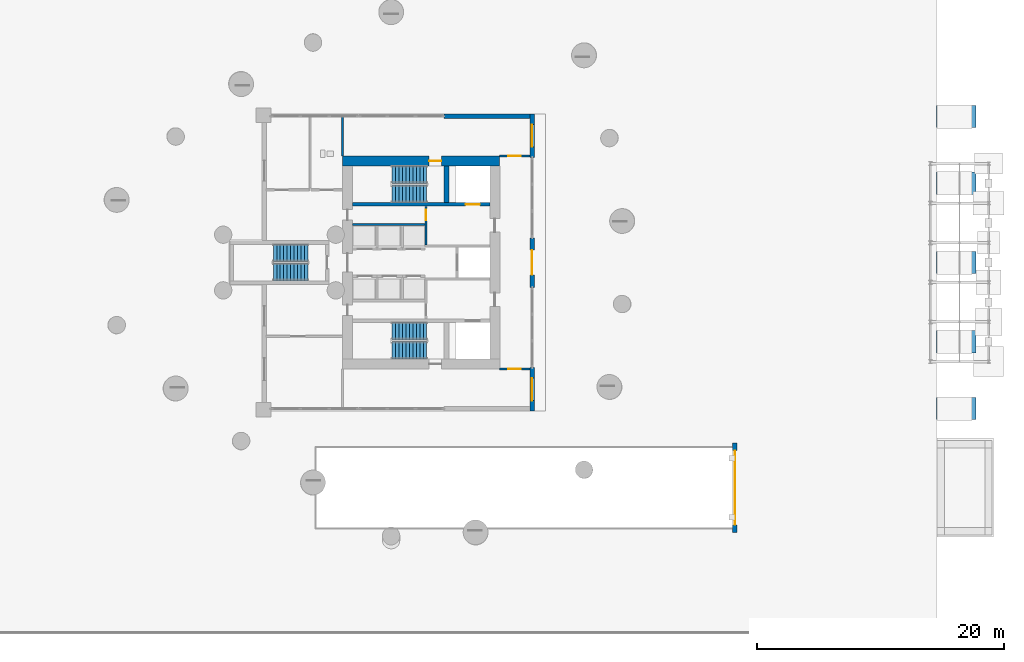
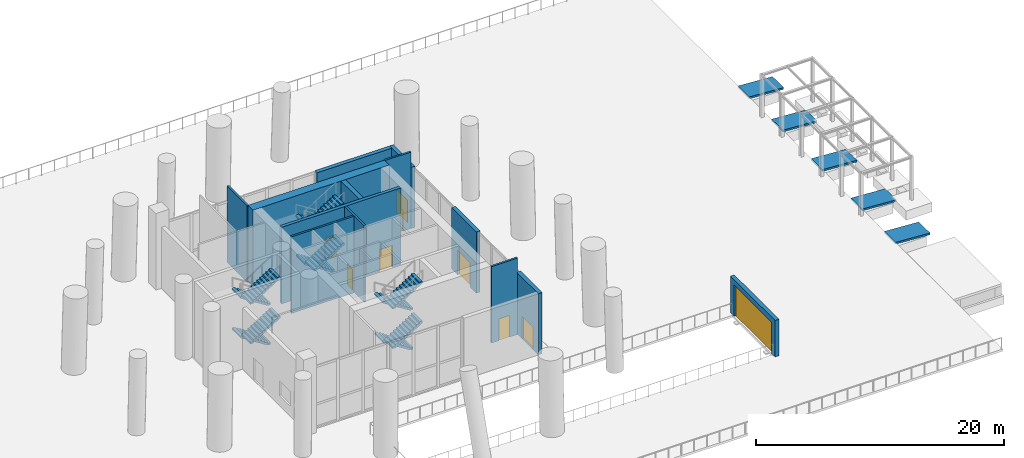
# One storey, part 9 of 16: 13 walls, 12 stair flights, 9 doors, 5 ramp flights, 9 openings, 8 elements without a shape of their own.
"""IFC4 building model written with IfcOpenShell, lengths in metres."""

from ifc_helpers import new_model, si_unit, direction, frame, frame_2d, origin, place, context, subcontext, project, spatial, polyline, rectangle, outline, extrude, source, transform, mapped, material, layer, layer_set, type_object, element, fill, aggregate, save


model = new_model("IFC4")

# Units and contexts
model_context = context("Model", 3, precision=1e-05, world=origin(), true_north=direction((0.0, 1.0)))
body_context = subcontext(model_context, "Body", "Model", "MODEL_VIEW")
ifc_project = project(units=[si_unit("LENGTHUNIT", "METRE"), si_unit("AREAUNIT", "SQUARE_METRE"), si_unit("VOLUMEUNIT", "CUBIC_METRE"), si_unit("PLANEANGLEUNIT", "RADIAN"), si_unit("MASSUNIT", "GRAM", prefix="KILO")], contexts=[model_context])

# Site, building, storey
site_placement = place(None, origin())
site = spatial("IfcSite", under=ifc_project, at=site_placement, CompositionType="ELEMENT")
building_placement = place(site_placement, origin())
building = spatial("IfcBuilding", under=site, at=building_placement, Name="Qafzar Sky-Pleat Residences", CompositionType="ELEMENT")
storey_placement = place(building_placement, origin())
storey = spatial("IfcBuildingStorey", under=building, at=storey_placement, Name="L00", CompositionType="ELEMENT", Elevation=0.0)

# Wall, opening, door
ifc_material_1 = material(Name="Concrete blockwork partition", Category="masonry")
ifc_layer_1 = layer(ifc_material_1, 0.179931640625)
ifc_layer_set_1 = layer_set([ifc_layer_1], Name="Concrete blockwork partition")
wall_type_1 = type_object("IfcWallType", Name="PART-SHAFT-180", PredefinedType="PARTITIONING", material=ifc_layer_set_1)
wall_1_placement = place(storey_placement, frame((30.75, 27.429931640625, 0.0), z_axis=(0.0, 0.0, 1.0), x_axis=(0.0, 1.0, 0.0)))
wall_1 = element("IfcWall", 1, at=wall_1_placement, inside=storey, type_object=wall_type_1, Name="L00 Partition Wall PART-L00-FFL2-W", PredefinedType="PARTITIONING", context=body_context, shape_type="SweptSolid", body=[
    extrude(rectangle(XDim=3.110107421875, YDim=0.179931640625, at=frame_2d((1.55517578125, 0.0))), origin(), (0.0, 0.0, 1.0), 7.5400390625),
])
opening_1_placement = place(wall_1_placement, frame((1.97998046875, 0.0, 0.0)))
opening_1 = element("IfcOpeningElement", 2, at=opening_1_placement, cuts=wall_1, Name="Opening ID-09", PredefinedType="OPENING", context=body_context, shape_type="SweptSolid", body=[
    extrude(rectangle(XDim=0.860107421875, YDim=2.050048828125, at=frame_2d((0.43017578125, 1.02490234375))), frame((0.0, 0.10009765625, 0.0), z_axis=(0.0, -1.0, 0.0), x_axis=(1.0, 0.0, 0.0)), (0.0, 0.0, 1.0), 0.199951171875),
])
ifc_material_2 = material(Name="Timber-faced fire door", Category="wood")
door_type_1 = type_object("IfcDoorType", Name="DR-SVC-860", OperationType="NOTDEFINED", PredefinedType="DOOR", material=ifc_material_2)
shared_shape_1 = source(origin(), body_context, "Body", "SweptSolid", [
    extrude(rectangle(XDim=0.860107421875, YDim=2.050048828125, at=frame_2d((0.43017578125, 1.02490234375))), frame((0.0, 0.02490234375, 0.0), z_axis=(0.0, -1.0, 0.0), x_axis=(1.0, 0.0, 0.0)), (0.0, 0.0, 1.0), 0.050048828125),
])
door_1_placement = place(opening_1_placement, origin())
door_1 = element("IfcDoor", 3, at=door_1_placement, inside=storey, type_object=door_type_1, Name="L00 North Core Cupboard Door", OperationType="SINGLE_SWING_RIGHT", OverallHeight=2.050048828125, OverallWidth=0.860107421875, PredefinedType="DOOR", context=body_context, shape_type="MappedRepresentation", body=[
    mapped(shared_shape_1, transform((0.0, 0.0, 0.0), x_axis=(1.0, 0.0, 0.0), y_axis=(0.0, 1.0, 0.0), z_axis=(0.0, 0.0, 1.0), scale=1.0)),
])
fill(opening_1, door_1)

# Walls
wall_2_placement = place(storey_placement, frame((24.81005859375, 29.080078125, 0.0), z_axis=(0.0, 0.0, 1.0), x_axis=(1.0, 0.0, 0.0)))
element("IfcWall", 4, at=wall_2_placement, inside=storey, type_object=wall_type_1, Name="L00 Partition Wall PART-L00-P46-N", PredefinedType="PARTITIONING", context=body_context, shape_type="SweptSolid", body=[
    extrude(rectangle(XDim=5.83984375, YDim=0.179931640625, at=frame_2d((2.919921875, 0.0))), origin(), (0.0, 0.0, 1.0), 7.5400390625),
])
wall_3_placement = place(storey_placement, frame((24.0, 34.60791015625, 0.0), z_axis=(0.0, 0.0, 1.0), x_axis=(0.0, 1.0, 0.0)))
element("IfcWall", 5, at=wall_3_placement, inside=storey, type_object=wall_type_1, Name="L00 Partition Wall PART-L00-PW-003", PredefinedType="PARTITIONING", context=body_context, shape_type="SweptSolid", body=[
    extrude(rectangle(XDim=3.18505859375, YDim=0.179931640625, at=frame_2d((1.592529296875, 0.0))), origin(), (0.0, 0.0, 1.0), 7.5400390625),
])

# Wall, opening, door
wall_4_placement = place(storey_placement, frame((36.699951171875, 17.39990234375, 0.0), z_axis=(0.0, 0.0, 1.0), x_axis=(1.0, 0.0, 0.0)))
wall_4 = element("IfcWall", 6, at=wall_4_placement, inside=storey, type_object=wall_type_1, Name="L00 Partition Wall PART-L00-PW-004", PredefinedType="PARTITIONING", context=body_context, shape_type="SweptSolid", body=[
    extrude(rectangle(XDim=2.43212890625, YDim=0.179931640625, at=frame_2d((1.216064453125, 0.0))), origin(), (0.0, 0.0, 1.0), 7.5400390625),
])
opening_2_placement = place(wall_4_placement, frame((0.699951171875, 0.0, 0.0)))
opening_2 = element("IfcOpeningElement", 7, at=opening_2_placement, cuts=wall_4, Name="Opening ID-01", PredefinedType="OPENING", context=body_context, shape_type="SweptSolid", body=[
    extrude(rectangle(XDim=0.97998046875, YDim=2.14990234375, at=frame_2d((0.489990234375, 1.074951171875))), frame((0.0, 0.10009765625, 0.0), z_axis=(0.0, -1.0, 0.0), x_axis=(1.0, 0.0, 0.0)), (0.0, 0.0, 1.0), 0.199951171875),
])
door_type_2 = type_object("IfcDoorType", Name="DR-STAIR-980", OperationType="NOTDEFINED", PredefinedType="DOOR", material=ifc_material_2)
shared_shape_2 = source(origin(), body_context, "Body", "SweptSolid", [
    extrude(rectangle(XDim=0.97998046875, YDim=2.14990234375, at=frame_2d((0.489990234375, 1.074951171875))), frame((0.0, 0.02490234375, 0.0), z_axis=(0.0, -1.0, 0.0), x_axis=(1.0, 0.0, 0.0)), (0.0, 0.0, 1.0), 0.050048828125),
])
door_2_placement = place(opening_2_placement, origin())
door_2 = element("IfcDoor", 8, at=door_2_placement, inside=storey, type_object=door_type_2, Name="L00 Lobby South Exit Passage Door", OperationType="SINGLE_SWING_RIGHT", OverallHeight=2.14990234375, OverallWidth=0.97998046875, PredefinedType="DOOR", context=body_context, shape_type="MappedRepresentation", body=[
    mapped(shared_shape_2, transform((0.0, 0.0, 0.0), x_axis=(1.0, 0.0, 0.0), y_axis=(0.0, 1.0, 0.0), z_axis=(0.0, 0.0, 1.0), scale=1.0)),
])
fill(opening_2, door_2)

wall_5_placement = place(storey_placement, frame((36.699951171875, 34.60009765625, 0.0), z_axis=(0.0, 0.0, 1.0), x_axis=(1.0, 0.0, 0.0)))
wall_5 = element("IfcWall", 9, at=wall_5_placement, inside=storey, type_object=wall_type_1, Name="L00 Partition Wall PART-L00-PW-005", PredefinedType="PARTITIONING", context=body_context, shape_type="SweptSolid", body=[
    extrude(rectangle(XDim=2.43212890625, YDim=0.179931640625, at=frame_2d((1.216064453125, 0.0))), origin(), (0.0, 0.0, 1.0), 7.5400390625),
])
opening_3_placement = place(wall_5_placement, frame((0.699951171875, 0.0, 0.0)))
opening_3 = element("IfcOpeningElement", 10, at=opening_3_placement, cuts=wall_5, Name="Opening ID-01", PredefinedType="OPENING", context=body_context, shape_type="SweptSolid", body=[
    extrude(rectangle(XDim=0.97998046875, YDim=2.14990234375, at=frame_2d((0.489990234375, 1.074951171875))), frame((0.0, 0.10009765625, 0.0), z_axis=(0.0, -1.0, 0.0), x_axis=(1.0, 0.0, 0.0)), (0.0, 0.0, 1.0), 0.199951171875),
])
door_3_placement = place(opening_3_placement, origin())
door_3 = element("IfcDoor", 11, at=door_3_placement, inside=storey, type_object=door_type_2, Name="L00 Lobby North Exit Passage Door", OperationType="SINGLE_SWING_LEFT", OverallHeight=2.14990234375, OverallWidth=0.97998046875, PredefinedType="DOOR", context=body_context, shape_type="MappedRepresentation", body=[
    mapped(shared_shape_2, transform((0.0, 0.0, 0.0), x_axis=(1.0, 0.0, 0.0), y_axis=(0.0, 1.0, 0.0), z_axis=(0.0, 0.0, 1.0), scale=1.0)),
])
fill(opening_3, door_3)

ifc_material_3 = material(Name="Precast concrete C40/50 with honed Riyadh limestone", Category="concrete")
ifc_layer_2 = layer(ifc_material_3, 0.35009765625)
ifc_layer_set_2 = layer_set([ifc_layer_2], Name="Precast concrete C40/50 with honed Riyadh limestone")
wall_type_2 = type_object("IfcWallType", Name="WALL-EXT-350", PredefinedType="SOLIDWALL", material=ifc_layer_set_2)
wall_6_placement = place(storey_placement, frame((39.320068359375, 38.0, 0.0), z_axis=(0.0, 0.0, 1.0), x_axis=(0.0, -1.0, 0.0)))
wall_6 = element("IfcWall", 12, at=wall_6_placement, inside=storey, type_object=wall_type_2, Name="L00 North-East Exit Passage Exterior Wall", PredefinedType="SOLIDWALL", context=body_context, shape_type="SweptSolid", body=[
    extrude(rectangle(XDim=3.5, YDim=0.360107421875, at=frame_2d((1.75, 0.0))), origin(), (0.0, 0.0, 1.0), 6.02001953125),
])
opening_4_placement = place(wall_6_placement, frame((0.85009765625, 0.0, 0.0)))
opening_4 = element("IfcOpeningElement", 13, at=opening_4_placement, cuts=wall_6, Name="Opening ED-01", PredefinedType="OPENING", context=body_context, shape_type="SweptSolid", body=[
    extrude(rectangle(XDim=1.800048828125, YDim=2.199951171875, at=frame_2d((0.89990234375, 1.10009765625))), frame((0.0, 0.18994140625, 0.0), z_axis=(0.0, -1.0, 0.0), x_axis=(1.0, 0.0, 0.0)), (0.0, 0.0, 1.0), 0.380126953125),
])
ifc_material_4 = material(Name="Powder-coated steel door", Category="steel")
door_type_3 = type_object("IfcDoorType", Name="DR-EXT-1800", OperationType="DOUBLE_DOOR_SINGLE_SWING", PredefinedType="DOOR", material=ifc_material_4)
shared_shape_3 = source(origin(), body_context, "Body", "SweptSolid", [
    extrude(rectangle(XDim=1.800048828125, YDim=2.199951171875, at=frame_2d((0.89990234375, 1.10009765625))), frame((0.0, 0.02490234375, 0.0), z_axis=(0.0, -1.0, 0.0), x_axis=(1.0, 0.0, 0.0)), (0.0, 0.0, 1.0), 0.050048828125),
])
door_4_placement = place(opening_4_placement, origin())
door_4 = element("IfcDoor", 14, at=door_4_placement, inside=storey, type_object=door_type_3, Name="L00 Final Exit Door ED-02 (Stair ST2)", OperationType="DOUBLE_DOOR_SINGLE_SWING", OverallHeight=2.199951171875, OverallWidth=1.800048828125, PredefinedType="DOOR", context=body_context, shape_type="MappedRepresentation", body=[
    mapped(shared_shape_3, transform((0.0, 0.0, 0.0), x_axis=(1.0, 0.0, 0.0), y_axis=(0.0, 1.0, 0.0), z_axis=(0.0, 0.0, 1.0), scale=1.0)),
])
fill(opening_4, door_4)

wall_7_placement = place(storey_placement, frame((39.320068359375, 17.5, 0.0), z_axis=(0.0, 0.0, 1.0), x_axis=(0.0, -1.0, 0.0)))
wall_7 = element("IfcWall", 15, at=wall_7_placement, inside=storey, type_object=wall_type_2, Name="L00 South-East Exit Passage Exterior Wall", PredefinedType="SOLIDWALL", context=body_context, shape_type="SweptSolid", body=[
    extrude(rectangle(XDim=3.5, YDim=0.360107421875, at=frame_2d((1.75, 0.0))), origin(), (0.0, 0.0, 1.0), 6.02001953125),
])
opening_5_placement = place(wall_7_placement, frame((0.85009765625, 0.0, 0.0)))
opening_5 = element("IfcOpeningElement", 16, at=opening_5_placement, cuts=wall_7, Name="Opening ED-01", PredefinedType="OPENING", context=body_context, shape_type="SweptSolid", body=[
    extrude(rectangle(XDim=1.800048828125, YDim=2.199951171875, at=frame_2d((0.89990234375, 1.10009765625))), frame((0.0, 0.18994140625, 0.0), z_axis=(0.0, -1.0, 0.0), x_axis=(1.0, 0.0, 0.0)), (0.0, 0.0, 1.0), 0.380126953125),
])
door_5_placement = place(opening_5_placement, origin())
door_5 = element("IfcDoor", 17, at=door_5_placement, inside=storey, type_object=door_type_3, Name="L00 Final Exit Door ED-01 (Stair ST1)", OperationType="DOUBLE_DOOR_SINGLE_SWING", OverallHeight=2.199951171875, OverallWidth=1.800048828125, PredefinedType="DOOR", context=body_context, shape_type="MappedRepresentation", body=[
    mapped(shared_shape_3, transform((0.0, 0.0, 0.0), x_axis=(1.0, 0.0, 0.0), y_axis=(0.0, 1.0, 0.0), z_axis=(0.0, 0.0, 1.0), scale=1.0)),
])
fill(opening_5, door_5)

wall_8_placement = place(storey_placement, frame((39.320068359375, 28.0, 0.0), z_axis=(0.0, 0.0, 1.0), x_axis=(0.0, -1.0, 0.0)))
wall_8 = element("IfcWall", 18, at=wall_8_placement, inside=storey, type_object=wall_type_2, Name="L00 Main Entrance Portal Wall", PredefinedType="SOLIDWALL", context=body_context, shape_type="SweptSolid", body=[
    extrude(rectangle(XDim=4.0, YDim=0.360107421875, at=frame_2d((2.0, 0.0))), origin(), (0.0, 0.0, 1.0), 6.02001953125),
])
opening_6_placement = place(wall_8_placement, frame((1.0, 0.0, 0.0)))
opening_6 = element("IfcOpeningElement", 19, at=opening_6_placement, cuts=wall_8, Name="Opening ED-04", PredefinedType="OPENING", context=body_context, shape_type="SweptSolid", body=[
    extrude(rectangle(XDim=2.0, YDim=2.39990234375, at=frame_2d((1.0, 1.199951171875))), frame((0.0, 0.18994140625, 0.0), z_axis=(0.0, -1.0, 0.0), x_axis=(1.0, 0.0, 0.0)), (0.0, 0.0, 1.0), 0.380126953125),
])
door_type_4 = type_object("IfcDoorType", Name="DR-EXT-LOB", OperationType="DOUBLE_DOOR_SINGLE_SWING", PredefinedType="DOOR", material=ifc_material_4)
shared_shape_4 = source(origin(), body_context, "Body", "SweptSolid", [
    extrude(rectangle(XDim=2.0, YDim=2.39990234375, at=frame_2d((1.0, 1.199951171875))), frame((0.0, 0.02490234375, 0.0), z_axis=(0.0, -1.0, 0.0), x_axis=(1.0, 0.0, 0.0)), (0.0, 0.0, 1.0), 0.050048828125),
])
door_6_placement = place(opening_6_placement, origin())
door_6 = element("IfcDoor", 20, at=door_6_placement, inside=storey, type_object=door_type_4, Name="L00 Main Entrance Door ED-04", OperationType="DOUBLE_DOOR_SINGLE_SWING", OverallHeight=2.39990234375, OverallWidth=2.0, PredefinedType="DOOR", context=body_context, shape_type="MappedRepresentation", body=[
    mapped(shared_shape_4, transform((0.0, 0.0, 0.0), x_axis=(1.0, 0.0, 0.0), y_axis=(0.0, 1.0, 0.0), z_axis=(0.0, 0.0, 1.0), scale=1.0)),
])
fill(opening_6, door_6)

# Wall
wall_9_placement = place(storey_placement, frame((32.199951171875, 37.820068359375, 0.0), z_axis=(0.0, 0.0, 1.0), x_axis=(1.0, 0.0, 0.0)))
element("IfcWall", 21, at=wall_9_placement, inside=storey, type_object=wall_type_2, Name="L00 North-East Exterior Wall", PredefinedType="SOLIDWALL", context=body_context, shape_type="SweptSolid", body=[
    extrude(rectangle(XDim=6.93994140625, YDim=0.360107421875, at=frame_2d((3.469970703125, 0.0))), origin(), (0.0, 0.0, 1.0), 6.02001953125),
])

# Wall, opening, door
wall_10_placement = place(storey_placement, frame((55.699951171875, 11.39990234375, 0.0), z_axis=(0.0, 0.0, 1.0), x_axis=(0.0, -1.0, 0.0)))
wall_10 = element("IfcWall", 22, at=wall_10_placement, inside=storey, type_object=wall_type_2, Name="L00 Vehicle Ramp Portal Wall", PredefinedType="SOLIDWALL", context=body_context, shape_type="SweptSolid", body=[
    extrude(rectangle(XDim=7.199951171875, YDim=0.360107421875, at=frame_2d((3.60009765625, 0.0))), origin(), (0.0, 0.0, 1.0), 3.60009765625),
])
opening_7_placement = place(wall_10_placement, frame((0.60009765625, 0.0, 0.0)))
opening_7 = element("IfcOpeningElement", 23, at=opening_7_placement, cuts=wall_10, Name="Opening VG-1", PredefinedType="OPENING", context=body_context, shape_type="SweptSolid", body=[
    extrude(rectangle(XDim=6.0, YDim=3.10009765625, at=frame_2d((3.0, 1.550048828125))), frame((0.0, 0.18994140625, 0.0), z_axis=(0.0, -1.0, 0.0), x_axis=(1.0, 0.0, 0.0)), (0.0, 0.0, 1.0), 0.380126953125),
])
door_type_5 = type_object("IfcDoorType", Name="DR-GATE-VG1", OperationType="ROLLINGUP", PredefinedType="GATE", material=ifc_material_4)
shared_shape_5 = source(origin(), body_context, "Body", "SweptSolid", [
    extrude(rectangle(XDim=6.0, YDim=3.10009765625, at=frame_2d((3.0, 1.550048828125))), frame((0.0, 0.02490234375, 0.0), z_axis=(0.0, -1.0, 0.0), x_axis=(1.0, 0.0, 0.0)), (0.0, 0.0, 1.0), 0.050048828125),
])
door_7_placement = place(opening_7_placement, origin())
door_7 = element("IfcDoor", 24, at=door_7_placement, inside=storey, type_object=door_type_5, Name="L00 Basement Car Park Roller Gate VG-1", OperationType="ROLLINGUP", OverallHeight=3.10009765625, OverallWidth=6.0, PredefinedType="GATE", context=body_context, shape_type="MappedRepresentation", body=[
    mapped(shared_shape_5, transform((0.0, 0.0, 0.0), x_axis=(1.0, 0.0, 0.0), y_axis=(0.0, 1.0, 0.0), z_axis=(0.0, 0.0, 1.0), scale=1.0)),
])
fill(opening_7, door_7)

ifc_material_5 = material(Name="Concrete C60/75", Category="concrete")
ifc_layer_3 = layer(ifc_material_5, 0.300048828125)
ifc_layer_set_3 = layer_set([ifc_layer_3], Name="Concrete C60/75")
wall_type_3 = type_object("IfcWallType", Name="WALL-SHEAR-300", PredefinedType="SHEAR", material=ifc_layer_set_3)
wall_11_placement = place(storey_placement, frame((24.800048828125, 30.699951171875, 0.0), z_axis=(0.0, 0.0, 1.0), x_axis=(1.0, 0.0, 0.0)))
wall_11 = element("IfcWall", 25, at=wall_11_placement, inside=storey, type_object=wall_type_3, Name="L00 Stair ST2 and FF2 Shaft South Wall", PredefinedType="SHEAR", context=body_context, shape_type="SweptSolid", body=[
    extrude(rectangle(XDim=11.099853515625, YDim=0.300048828125, at=frame_2d((5.5498046875, 0.0))), origin(), (0.0, 0.0, 1.0), 7.5400390625),
])
opening_8_placement = place(wall_11_placement, frame((9.14990234375, 0.0, 0.0)))
opening_8 = element("IfcOpeningElement", 26, at=opening_8_placement, cuts=wall_11, Name="Opening LD-02", PredefinedType="OPENING", context=body_context, shape_type="SweptSolid", body=[
    extrude(rectangle(XDim=1.14990234375, YDim=2.14990234375, at=frame_2d((0.574951171875, 1.074951171875))), frame((0.0, 0.16015625, 0.0), z_axis=(0.0, -1.0, 0.0), x_axis=(1.0, 0.0, 0.0)), (0.0, 0.0, 1.0), 0.320068359375),
])
ifc_material_6 = material(Name="Stainless steel sliding landing door", Category="steel")
door_type_6 = type_object("IfcDoorType", Name="DR-LIFT-FF", OperationType="DOUBLE_DOOR_SLIDING", PredefinedType="DOOR", material=ifc_material_6)
shared_shape_6 = source(origin(), body_context, "Body", "SweptSolid", [
    extrude(rectangle(XDim=1.14990234375, YDim=2.14990234375, at=frame_2d((0.574951171875, 1.074951171875))), frame((0.0, 0.02490234375, 0.0), z_axis=(0.0, -1.0, 0.0), x_axis=(1.0, 0.0, 0.0)), (0.0, 0.0, 1.0), 0.050048828125),
])
door_8_placement = place(opening_8_placement, origin())
door_8 = element("IfcDoor", 27, at=door_8_placement, inside=storey, type_object=door_type_6, Name="L00 Firefighting Lift FF2 Landing Door", OperationType="DOUBLE_DOOR_SLIDING", OverallHeight=2.14990234375, OverallWidth=1.14990234375, PredefinedType="DOOR", context=body_context, shape_type="MappedRepresentation", body=[
    mapped(shared_shape_6, transform((0.0, 0.0, 0.0), x_axis=(1.0, 0.0, 0.0), y_axis=(0.0, 1.0, 0.0), z_axis=(0.0, 0.0, 1.0), scale=1.0)),
])
fill(opening_8, door_8)

# Wall
ifc_layer_4 = layer(ifc_material_5, 0.39990234375)
ifc_layer_set_4 = layer_set([ifc_layer_4], Name="Concrete C60/75")
wall_type_4 = type_object("IfcWallType", Name="WALL-SHEAR-400", PredefinedType="SHEAR", material=ifc_layer_set_4)
wall_12_placement = place(storey_placement, frame((32.39990234375, 30.85009765625, 0.0), z_axis=(0.0, 0.0, 1.0), x_axis=(0.0, 1.0, 0.0)))
element("IfcWall", 28, at=wall_12_placement, inside=storey, type_object=wall_type_4, Name="L00 Stair ST2 East Dividing Wall", PredefinedType="SHEAR", context=body_context, shape_type="SweptSolid", body=[
    extrude(rectangle(XDim=2.949951171875, YDim=0.39990234375, at=frame_2d((1.47509765625, 0.0))), origin(), (0.0, 0.0, 1.0), 7.5400390625),
])

# Wall, opening, door
ifc_layer_5 = layer(ifc_material_5, 0.800048828125)
ifc_layer_set_5 = layer_set([ifc_layer_5], Name="Concrete C60/75")
wall_type_5 = type_object("IfcWallType", Name="WALL-SHEAR-800", PredefinedType="SHEAR", material=ifc_layer_set_5)
wall_13_placement = place(storey_placement, frame((36.699951171875, 34.199951171875, 0.0), z_axis=(0.0, 0.0, 1.0), x_axis=(-1.0, 0.0, 0.0)))
wall_13 = element("IfcWall", 29, at=wall_13_placement, inside=storey, type_object=wall_type_5, Name="L00 CORE wall N", PredefinedType="SHEAR", context=body_context, shape_type="SweptSolid", body=[
    extrude(rectangle(XDim=12.699951171875, YDim=0.800048828125, at=frame_2d((6.35009765625, 0.0))), origin(), (0.0, 0.0, 1.0), 7.5400390625),
])
opening_9_placement = place(wall_13_placement, frame((4.719970703125, 0.0, 0.0)))
opening_9 = element("IfcOpeningElement", 30, at=opening_9_placement, cuts=wall_13, Name="Opening ID-01", PredefinedType="OPENING", context=body_context, shape_type="SweptSolid", body=[
    extrude(rectangle(XDim=0.97998046875, YDim=2.14990234375, at=frame_2d((0.489990234375, 1.074951171875))), frame((0.0, 0.41015625, 0.0), z_axis=(0.0, -1.0, 0.0), x_axis=(1.0, 0.0, 0.0)), (0.0, 0.0, 1.0), 0.820068359375),
])
door_9_placement = place(opening_9_placement, origin())
door_9 = element("IfcDoor", 31, at=door_9_placement, inside=storey, type_object=door_type_2, Name="L00 Stair ST2 Exit Passage Door", OperationType="SINGLE_SWING_LEFT", OverallHeight=2.14990234375, OverallWidth=0.97998046875, PredefinedType="DOOR", context=body_context, shape_type="MappedRepresentation", body=[
    mapped(shared_shape_2, transform((0.0, 0.0, 0.0), x_axis=(1.0, 0.0, 0.0), y_axis=(0.0, 1.0, 0.0), z_axis=(0.0, 0.0, 1.0), scale=1.0)),
])
fill(opening_9, door_9)

# Stair, stair flights
ifc_material_7 = material(Name="Concrete C40/50", Category="concrete")
stair_type = type_object("IfcStairType", Name="STAIR-H780", PredefinedType="HALF_TURN_STAIR", material=ifc_material_7)
stair_1_placement = place(storey_placement, origin())
stair_1 = element("IfcStair", 32, at=stair_1_placement, inside=storey, type_object=stair_type, Name="L00 Protected Exit Stair ST1", PredefinedType="HALF_TURN_STAIR")
stair_flight_type = type_object("IfcStairFlightType", Name="FLIGHT-H780", PredefinedType="STRAIGHT", material=ifc_material_7)
shared_shape_7 = source(origin(), body_context, "Body", "SweptSolid", [
    extrude(outline(polyline([(0.0, 0.0), (0.0, 0.17724609375), (0.280029296875, 0.17724609375), (0.280029296875, 0.3544921875), (0.56005859375, 0.3544921875), (0.56005859375, 0.53173828125), (0.840087890625, 0.53173828125), (0.840087890625, 0.708984375), (1.1201171875, 0.708984375), (1.1201171875, 0.886474609375), (1.39990234375, 0.886474609375), (1.39990234375, 1.063720703125), (1.679931640625, 1.063720703125), (1.679931640625, 1.240966796875), (1.9599609375, 1.240966796875), (1.9599609375, 1.418212890625), (2.239990234375, 1.418212890625), (2.239990234375, 1.595458984375), (2.52001953125, 1.595458984375), (2.52001953125, 1.772705078125), (2.800048828125, 1.772705078125), (2.800048828125, 1.949951171875), (2.800048828125, 1.59521484375), (0.2802734375, 0.0), (0.0, 0.0)])), frame((0.0, 0.699951171875, 0.0), z_axis=(0.0, -1.0, 0.0), x_axis=(1.0, 0.0, 0.0)), (0.0, 0.0, 1.0), 1.39990234375),
])
stair_flight_1_placement = place(storey_placement, frame((30.800048828125, 20.449951171875, 0.0), z_axis=(0.0, 0.0, 1.0), x_axis=(-1.0, 0.0, 0.0)))
stair_flight_1 = element("IfcStairFlight", 33, at=stair_flight_1_placement, type_object=stair_flight_type, Name="ST1 flight 1", NumberOfRisers=11, NumberOfTreads=10, PredefinedType="STRAIGHT", RiserHeight=0.177272727, TreadLength=0.28, context=body_context, shape_type="MappedRepresentation", body=[
    mapped(shared_shape_7, transform((0.0, 0.0, 0.0), x_axis=(1.0, 0.0, 0.0), y_axis=(0.0, 1.0, 0.0), z_axis=(0.0, 0.0, 1.0), scale=1.0)),
])
stair_flight_2_placement = place(storey_placement, frame((28.0, 18.89990234375, 1.949951171875), z_axis=(0.0, 0.0, 1.0), x_axis=(1.0, 0.0, 0.0)))
stair_flight_2 = element("IfcStairFlight", 34, at=stair_flight_2_placement, type_object=stair_flight_type, Name="ST1 flight 2", NumberOfRisers=11, NumberOfTreads=10, PredefinedType="STRAIGHT", RiserHeight=0.177272727, TreadLength=0.28, context=body_context, shape_type="MappedRepresentation", body=[
    mapped(shared_shape_7, transform((0.0, 0.0, 0.0), x_axis=(1.0, 0.0, 0.0), y_axis=(0.0, 1.0, 0.0), z_axis=(0.0, 0.0, 1.0), scale=1.0)),
])
stair_flight_3_placement = place(storey_placement, frame((30.800048828125, 20.449951171875, 3.89990234375), z_axis=(0.0, 0.0, 1.0), x_axis=(-1.0, 0.0, 0.0)))
stair_flight_3 = element("IfcStairFlight", 35, at=stair_flight_3_placement, type_object=stair_flight_type, Name="ST1 flight 3", NumberOfRisers=11, NumberOfTreads=10, PredefinedType="STRAIGHT", RiserHeight=0.177272727, TreadLength=0.28, context=body_context, shape_type="MappedRepresentation", body=[
    mapped(shared_shape_7, transform((0.0, 0.0, 0.0), x_axis=(1.0, 0.0, 0.0), y_axis=(0.0, 1.0, 0.0), z_axis=(0.0, 0.0, 1.0), scale=1.0)),
])
stair_flight_4_placement = place(storey_placement, frame((28.0, 18.89990234375, 5.85009765625), z_axis=(0.0, 0.0, 1.0), x_axis=(1.0, 0.0, 0.0)))
stair_flight_4 = element("IfcStairFlight", 36, at=stair_flight_4_placement, type_object=stair_flight_type, Name="ST1 flight 4", NumberOfRisers=11, NumberOfTreads=10, PredefinedType="STRAIGHT", RiserHeight=0.177272727, TreadLength=0.28, context=body_context, shape_type="MappedRepresentation", body=[
    mapped(shared_shape_7, transform((0.0, 0.0, 0.0), x_axis=(1.0, 0.0, 0.0), y_axis=(0.0, 1.0, 0.0), z_axis=(0.0, 0.0, 1.0), scale=1.0)),
])
aggregate(stair_1, [stair_flight_1, stair_flight_2, stair_flight_3, stair_flight_4])

stair_2_placement = place(storey_placement, origin())
stair_2 = element("IfcStair", 37, at=stair_2_placement, inside=storey, type_object=stair_type, Name="L00 Protected Exit Stair ST2", PredefinedType="HALF_TURN_STAIR")
stair_flight_5_placement = place(storey_placement, frame((30.800048828125, 33.10009765625, 0.0), z_axis=(0.0, 0.0, 1.0), x_axis=(-1.0, 0.0, 0.0)))
stair_flight_5 = element("IfcStairFlight", 38, at=stair_flight_5_placement, type_object=stair_flight_type, Name="ST2 flight 1", NumberOfRisers=11, NumberOfTreads=10, PredefinedType="STRAIGHT", RiserHeight=0.177272727, TreadLength=0.28, context=body_context, shape_type="MappedRepresentation", body=[
    mapped(shared_shape_7, transform((0.0, 0.0, 0.0), x_axis=(1.0, 0.0, 0.0), y_axis=(0.0, 1.0, 0.0), z_axis=(0.0, 0.0, 1.0), scale=1.0)),
])
stair_flight_6_placement = place(storey_placement, frame((28.0, 31.550048828125, 1.949951171875), z_axis=(0.0, 0.0, 1.0), x_axis=(1.0, 0.0, 0.0)))
stair_flight_6 = element("IfcStairFlight", 39, at=stair_flight_6_placement, type_object=stair_flight_type, Name="ST2 flight 2", NumberOfRisers=11, NumberOfTreads=10, PredefinedType="STRAIGHT", RiserHeight=0.177272727, TreadLength=0.28, context=body_context, shape_type="MappedRepresentation", body=[
    mapped(shared_shape_7, transform((0.0, 0.0, 0.0), x_axis=(1.0, 0.0, 0.0), y_axis=(0.0, 1.0, 0.0), z_axis=(0.0, 0.0, 1.0), scale=1.0)),
])
stair_flight_7_placement = place(storey_placement, frame((30.800048828125, 33.10009765625, 3.89990234375), z_axis=(0.0, 0.0, 1.0), x_axis=(-1.0, 0.0, 0.0)))
stair_flight_7 = element("IfcStairFlight", 40, at=stair_flight_7_placement, type_object=stair_flight_type, Name="ST2 flight 3", NumberOfRisers=11, NumberOfTreads=10, PredefinedType="STRAIGHT", RiserHeight=0.177272727, TreadLength=0.28, context=body_context, shape_type="MappedRepresentation", body=[
    mapped(shared_shape_7, transform((0.0, 0.0, 0.0), x_axis=(1.0, 0.0, 0.0), y_axis=(0.0, 1.0, 0.0), z_axis=(0.0, 0.0, 1.0), scale=1.0)),
])
stair_flight_8_placement = place(storey_placement, frame((28.0, 31.550048828125, 5.85009765625), z_axis=(0.0, 0.0, 1.0), x_axis=(1.0, 0.0, 0.0)))
stair_flight_8 = element("IfcStairFlight", 41, at=stair_flight_8_placement, type_object=stair_flight_type, Name="ST2 flight 4", NumberOfRisers=11, NumberOfTreads=10, PredefinedType="STRAIGHT", RiserHeight=0.177272727, TreadLength=0.28, context=body_context, shape_type="MappedRepresentation", body=[
    mapped(shared_shape_7, transform((0.0, 0.0, 0.0), x_axis=(1.0, 0.0, 0.0), y_axis=(0.0, 1.0, 0.0), z_axis=(0.0, 0.0, 1.0), scale=1.0)),
])
aggregate(stair_2, [stair_flight_5, stair_flight_6, stair_flight_7, stair_flight_8])

stair_3_placement = place(storey_placement, origin())
stair_3 = element("IfcStair", 42, at=stair_3_placement, inside=storey, type_object=stair_type, Name="L00 Protected Exit Stair ST3", PredefinedType="HALF_TURN_STAIR")
stair_flight_9_placement = place(storey_placement, frame((21.199951171875, 26.77490234375, 0.0), z_axis=(0.0, 0.0, 1.0), x_axis=(-1.0, 0.0, 0.0)))
stair_flight_9 = element("IfcStairFlight", 43, at=stair_flight_9_placement, type_object=stair_flight_type, Name="ST3 flight 1", NumberOfRisers=11, NumberOfTreads=10, PredefinedType="STRAIGHT", RiserHeight=0.177272727, TreadLength=0.28, context=body_context, shape_type="MappedRepresentation", body=[
    mapped(shared_shape_7, transform((0.0, 0.0, 0.0), x_axis=(1.0, 0.0, 0.0), y_axis=(0.0, 1.0, 0.0), z_axis=(0.0, 0.0, 1.0), scale=1.0)),
])
stair_flight_10_placement = place(storey_placement, frame((18.39990234375, 25.22509765625, 1.949951171875), z_axis=(0.0, 0.0, 1.0), x_axis=(1.0, 0.0, 0.0)))
stair_flight_10 = element("IfcStairFlight", 44, at=stair_flight_10_placement, type_object=stair_flight_type, Name="ST3 flight 2", NumberOfRisers=11, NumberOfTreads=10, PredefinedType="STRAIGHT", RiserHeight=0.177272727, TreadLength=0.28, context=body_context, shape_type="MappedRepresentation", body=[
    mapped(shared_shape_7, transform((0.0, 0.0, 0.0), x_axis=(1.0, 0.0, 0.0), y_axis=(0.0, 1.0, 0.0), z_axis=(0.0, 0.0, 1.0), scale=1.0)),
])
stair_flight_11_placement = place(storey_placement, frame((21.199951171875, 26.77490234375, 3.89990234375), z_axis=(0.0, 0.0, 1.0), x_axis=(-1.0, 0.0, 0.0)))
stair_flight_11 = element("IfcStairFlight", 45, at=stair_flight_11_placement, type_object=stair_flight_type, Name="ST3 flight 3", NumberOfRisers=11, NumberOfTreads=10, PredefinedType="STRAIGHT", RiserHeight=0.177272727, TreadLength=0.28, context=body_context, shape_type="MappedRepresentation", body=[
    mapped(shared_shape_7, transform((0.0, 0.0, 0.0), x_axis=(1.0, 0.0, 0.0), y_axis=(0.0, 1.0, 0.0), z_axis=(0.0, 0.0, 1.0), scale=1.0)),
])
stair_flight_12_placement = place(storey_placement, frame((18.39990234375, 25.22509765625, 5.85009765625), z_axis=(0.0, 0.0, 1.0), x_axis=(1.0, 0.0, 0.0)))
stair_flight_12 = element("IfcStairFlight", 46, at=stair_flight_12_placement, type_object=stair_flight_type, Name="ST3 flight 4", NumberOfRisers=11, NumberOfTreads=10, PredefinedType="STRAIGHT", RiserHeight=0.177272727, TreadLength=0.28, context=body_context, shape_type="MappedRepresentation", body=[
    mapped(shared_shape_7, transform((0.0, 0.0, 0.0), x_axis=(1.0, 0.0, 0.0), y_axis=(0.0, 1.0, 0.0), z_axis=(0.0, 0.0, 1.0), scale=1.0)),
])
aggregate(stair_3, [stair_flight_9, stair_flight_10, stair_flight_11, stair_flight_12])

# Ramp, ramp flight
ramp_type = type_object("IfcRampType", Name="RAMP-ACC", PredefinedType="STRAIGHT_RUN_RAMP", material=ifc_material_7)
ramp_1_placement = place(storey_placement, origin())
ramp_1 = element("IfcRamp", 47, at=ramp_1_placement, inside=storey, type_object=ramp_type, Name="Accessible entrance ramp 1", PredefinedType="STRAIGHT_RUN_RAMP")
ifc_layer_6 = layer(ifc_material_7, 0.179931640625)
ifc_layer_set_6 = layer_set([ifc_layer_6], Name="Concrete C40/50")
ramp_flight_type = type_object("IfcRampFlightType", Name="RAMPFLIGHT-ACC-180", PredefinedType="STRAIGHT", material=ifc_layer_set_6)
ramp_flight_1_placement = place(storey_placement, frame((75.199951171875, 13.300048828125, -0.199951171875), z_axis=(0.062364064216, 0.0, 0.998053467252), x_axis=(-0.998053467252, 0.0, 0.062364064216)))
ramp_flight_1 = element("IfcRampFlight", 48, at=ramp_flight_1_placement, type_object=ramp_flight_type, Name="Accessible entrance ramp 1 flight", PredefinedType="STRAIGHT", context=body_context, shape_type="SweptSolid", body=[
    extrude(outline(polyline([(0.0, 0.0), (3.2061921298509812, 0.0), (3.2061921298509812, -1.8000488281250004), (0.0, -1.8000488281250004), (0.0, 0.0)])), origin(), (0.0, 0.0, -1.0), 0.179931640625),
])
aggregate(ramp_1, [ramp_flight_1])

ramp_2_placement = place(storey_placement, origin())
ramp_2 = element("IfcRamp", 49, at=ramp_2_placement, inside=storey, type_object=ramp_type, Name="Accessible entrance ramp 2", PredefinedType="STRAIGHT_RUN_RAMP")
ramp_flight_2_placement = place(storey_placement, frame((75.199951171875, 18.699951171875, -0.199951171875), z_axis=(0.062364064216, 0.0, 0.998053467252), x_axis=(-0.998053467252, 0.0, 0.062364064216)))
ramp_flight_2 = element("IfcRampFlight", 50, at=ramp_flight_2_placement, type_object=ramp_flight_type, Name="Accessible entrance ramp 2 flight", PredefinedType="STRAIGHT", context=body_context, shape_type="SweptSolid", body=[
    extrude(outline(polyline([(0.0, 0.0), (3.2061921298509812, 0.0), (3.2061921298509812, -1.8000488281250004), (0.0, -1.8000488281250004), (0.0, 0.0)])), origin(), (0.0, 0.0, -1.0), 0.179931640625),
])
aggregate(ramp_2, [ramp_flight_2])

ramp_3_placement = place(storey_placement, origin())
ramp_3 = element("IfcRamp", 51, at=ramp_3_placement, inside=storey, type_object=ramp_type, Name="Accessible entrance ramp 3", PredefinedType="STRAIGHT_RUN_RAMP")
ramp_flight_3_placement = place(storey_placement, frame((75.199951171875, 25.10009765625, -0.199951171875), z_axis=(0.062364064216, 0.0, 0.998053467252), x_axis=(-0.998053467252, 0.0, 0.062364064216)))
ramp_flight_3 = element("IfcRampFlight", 52, at=ramp_flight_3_placement, type_object=ramp_flight_type, Name="Accessible entrance ramp 3 flight", PredefinedType="STRAIGHT", context=body_context, shape_type="SweptSolid", body=[
    extrude(outline(polyline([(0.0, 0.0), (3.2061921298509812, 0.0), (3.2061921298509812, -1.7998046875), (0.0, -1.7998046875), (0.0, 0.0)])), origin(), (0.0, 0.0, -1.0), 0.179931640625),
])
aggregate(ramp_3, [ramp_flight_3])

ramp_4_placement = place(storey_placement, origin())
ramp_4 = element("IfcRamp", 53, at=ramp_4_placement, inside=storey, type_object=ramp_type, Name="Accessible entrance ramp 4", PredefinedType="STRAIGHT_RUN_RAMP")
ramp_flight_4_placement = place(storey_placement, frame((75.199951171875, 31.5, -0.199951171875), z_axis=(0.062364064216, 0.0, 0.998053467252), x_axis=(-0.998053467252, 0.0, 0.062364064216)))
ramp_flight_4 = element("IfcRampFlight", 54, at=ramp_flight_4_placement, type_object=ramp_flight_type, Name="Accessible entrance ramp 4 flight", PredefinedType="STRAIGHT", context=body_context, shape_type="SweptSolid", body=[
    extrude(outline(polyline([(0.0, 0.0), (3.2061921298509812, 0.0), (3.2061921298509812, -1.8000488281250004), (0.0, -1.8000488281250004), (0.0, 0.0)])), origin(), (0.0, 0.0, -1.0), 0.179931640625),
])
aggregate(ramp_4, [ramp_flight_4])

ramp_5_placement = place(storey_placement, origin())
ramp_5 = element("IfcRamp", 55, at=ramp_5_placement, inside=storey, type_object=ramp_type, Name="Accessible entrance ramp 5", PredefinedType="STRAIGHT_RUN_RAMP")
ramp_flight_5_placement = place(storey_placement, frame((75.199951171875, 36.89990234375, -0.199951171875), z_axis=(0.062364064216, 0.0, 0.998053467252), x_axis=(-0.998053467252, 0.0, 0.062364064216)))
ramp_flight_5 = element("IfcRampFlight", 56, at=ramp_flight_5_placement, type_object=ramp_flight_type, Name="Accessible entrance ramp 5 flight", PredefinedType="STRAIGHT", context=body_context, shape_type="SweptSolid", body=[
    extrude(outline(polyline([(0.0, 0.0), (3.2061921298509812, 0.0), (3.2061921298509812, -1.8000488281250004), (0.0, -1.8000488281250004), (0.0, 0.0)])), origin(), (0.0, 0.0, -1.0), 0.179931640625),
])
aggregate(ramp_5, [ramp_flight_5])

save(model, "model.ifc")
